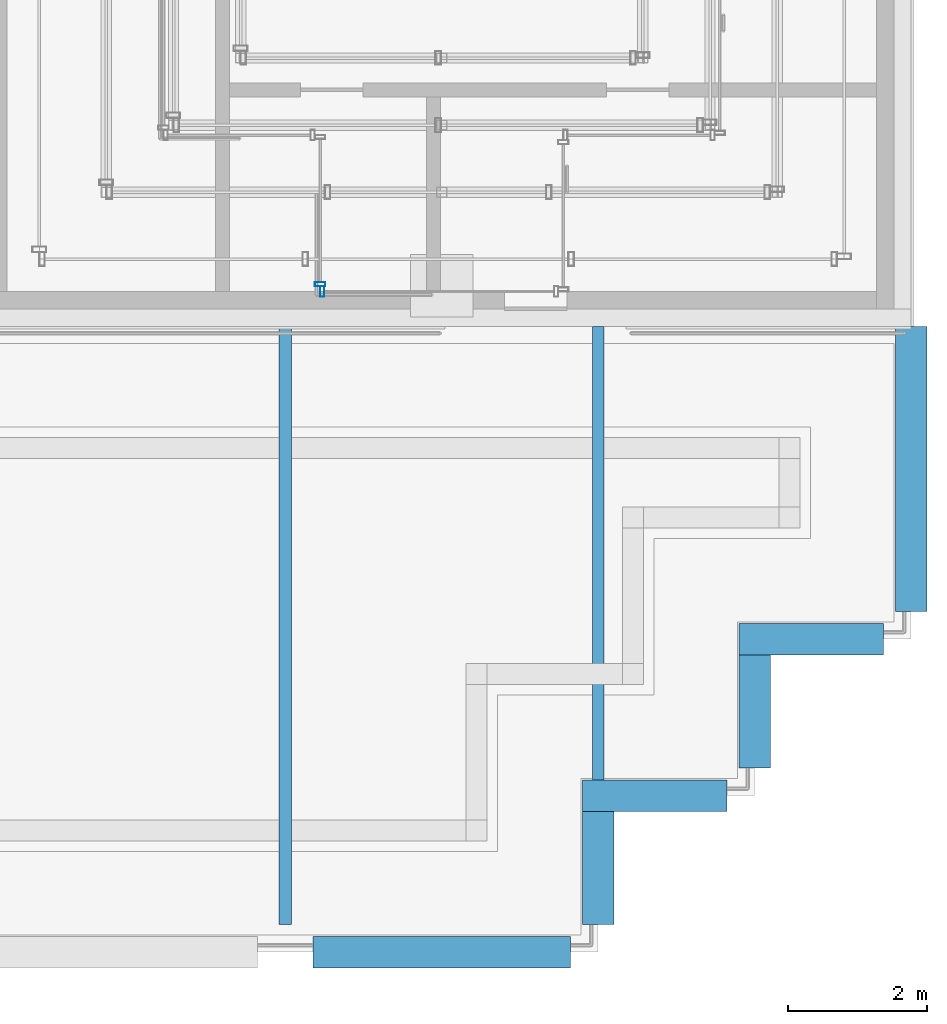
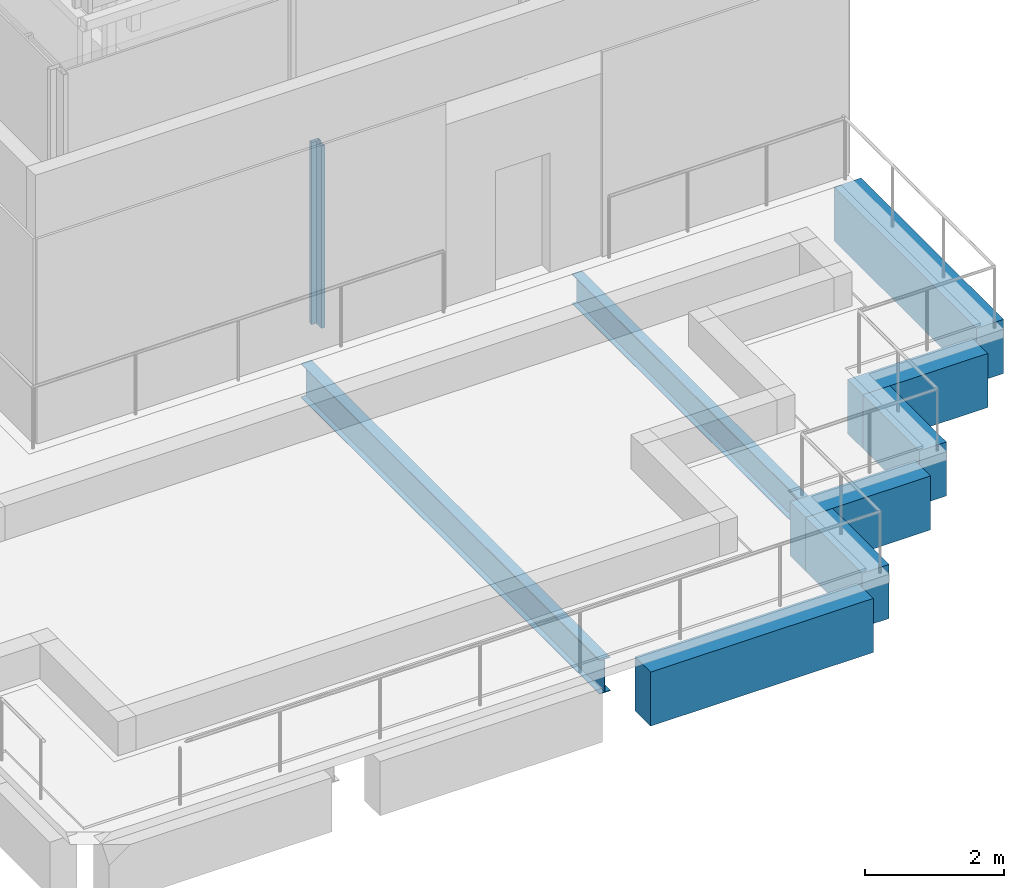
# One storey, part 34 of 62: 8 beams, 2 members, 2 elements without a shape of their own.
"""IFC4 building model written with IfcOpenShell, lengths in metres."""

from ifc_helpers import new_model, si_unit, direction, frame, origin, origin_2d, place, context, subcontext, project, spatial, rectangle, hollow_rectangle, i_section, extrude, material, material_profile, profile_set, type_object, element, aggregate, save


model = new_model("IFC4")

# Units and contexts
model_context = context("Model", 3, precision=1e-05, world=origin(), true_north=direction((0.0, 1.0)))
body_context = subcontext(model_context, "Body", "Model", "MODEL_VIEW")
ifc_project = project(units=[si_unit("LENGTHUNIT", "METRE"), si_unit("AREAUNIT", "SQUARE_METRE"), si_unit("VOLUMEUNIT", "CUBIC_METRE"), si_unit("PLANEANGLEUNIT", "RADIAN"), si_unit("MASSUNIT", "GRAM", prefix="KILO")], contexts=[model_context])

# Site, building, storey
site_placement = place(None, origin())
site = spatial("IfcSite", under=ifc_project, at=site_placement, CompositionType="ELEMENT")
building_placement = place(site_placement, origin())
building = spatial("IfcBuilding", under=site, at=building_placement, Name="Altepetl Exchange Towers", CompositionType="ELEMENT")
storey_placement = place(building_placement, frame((0.0, 0.0, 210.0)))
storey = spatial("IfcBuildingStorey", under=building, at=storey_placement, Name="L53", CompositionType="ELEMENT", Elevation=210.0)

# Beams
ifc_material_1 = material(Name="Steel S355", Category="steel")
ifc_material_profile_1 = material_profile(ifc_material_1, i_section(OverallWidth=0.166015625, OverallDepth=0.529052734375, WebThickness=0.009765625, FlangeThickness=0.013671875, at=origin_2d()), Name="W21X50")
ifc_profile_set_1 = profile_set([ifc_material_profile_1], Name="Steel S355")
beam_type_1 = type_object("IfcBeamType", Name="Floor beam W21X50", PredefinedType="BEAM", material=ifc_profile_set_1)
beam_1_placement = place(storey_placement, frame((112.5, 29.47509765625, -0.41455078125), z_axis=(0.0, 1.0, 0.0), x_axis=(-1.0, 0.0, 0.0)))
element("IfcBeam", 1, at=beam_1_placement, inside=storey, type_object=beam_type_1, Name="bm:B:L53:t003", PredefinedType="BEAM", context=body_context, shape_type="SweptSolid", body=[
    extrude(i_section(OverallWidth=0.166015625, OverallDepth=0.529052734375, WebThickness=0.009765625, FlangeThickness=0.013671875, at=origin_2d()), origin(), (0.0, 0.0, 1.0), 6.52490234375),
])
ifc_material_profile_2 = material_profile(ifc_material_1, i_section(OverallWidth=0.177978515625, OverallDepth=0.59912109375, WebThickness=0.010009765625, FlangeThickness=0.0126953125, at=origin_2d()), Name="W24X55")
ifc_profile_set_2 = profile_set([ifc_material_profile_2], Name="Steel S355")
beam_type_2 = type_object("IfcBeamType", Name="Floor beam W24X55", PredefinedType="BEAM", material=ifc_profile_set_2)
beam_2_placement = place(storey_placement, frame((108.0, 27.39990234375, -0.449462890625), z_axis=(0.0, 1.0, 0.0), x_axis=(-1.0, 0.0, 0.0)))
element("IfcBeam", 2, at=beam_2_placement, inside=storey, type_object=beam_type_2, Name="bm:B:L53:t002", PredefinedType="BEAM", context=body_context, shape_type="SweptSolid", body=[
    extrude(i_section(OverallWidth=0.177978515625, OverallDepth=0.59912109375, WebThickness=0.010009765625, FlangeThickness=0.0126953125, at=origin_2d()), origin(), (0.0, 0.0, 1.0), 8.60009765625),
])

# Curtain wall, member
ifc_material_2 = material(Name="Aluminium 6063-T6 glazing", Category="aluminium")
curtain_wall_type = type_object("IfcCurtainWallType", Name="Loggia glazing system", PredefinedType="NOTDEFINED", material=ifc_material_2)
curtain_wall_1_placement = place(storey_placement, origin())
curtain_wall_1 = element("IfcCurtainWall", 3, at=curtain_wall_1_placement, inside=storey, type_object=curtain_wall_type, Name="CW1 run", PredefinedType="NOTDEFINED")
ifc_material_3 = material(Name="Aluminium 6063-T6", Category="aluminium")
ifc_material_profile_3 = material_profile(ifc_material_3, hollow_rectangle(XDim=0.06005859375, YDim=0.14990234375, WallThickness=0.0029296875, at=origin_2d()), Name="Mullion 60x150 aluminium")
ifc_profile_set_3 = profile_set([ifc_material_profile_3], Name="Aluminium 6063-T6")
member_type = type_object("IfcMemberType", Name="Mullion 60x150 aluminium", PredefinedType="MULLION", material=ifc_profile_set_3)
member_1_placement = place(storey_placement, frame((108.5, 36.60498046875, 0.0), z_axis=(0.0, 0.0, 1.0), x_axis=(0.0, -1.0, 0.0)))
member_1 = element("IfcMember", 4, at=member_1_placement, type_object=member_type, Name="MU1 mullion", PredefinedType="MULLION", context=body_context, shape_type="SweptSolid", body=[
    extrude(hollow_rectangle(XDim=0.06005859375, YDim=0.14990234375, WallThickness=0.0029296875, at=origin_2d()), origin(), (0.0, 0.0, 1.0), 3.199951171875),
])
aggregate(curtain_wall_1, [member_1])

curtain_wall_2_placement = place(storey_placement, origin())
curtain_wall_2 = element("IfcCurtainWall", 5, at=curtain_wall_2_placement, inside=storey, type_object=curtain_wall_type, Name="CW1 run", PredefinedType="NOTDEFINED")
member_2_placement = place(storey_placement, frame((108.530029296875, 36.5, 0.0)))
member_2 = element("IfcMember", 6, at=member_2_placement, type_object=member_type, Name="MU1 mullion", PredefinedType="MULLION", context=body_context, shape_type="SweptSolid", body=[
    extrude(hollow_rectangle(XDim=0.06005859375, YDim=0.14990234375, WallThickness=0.0029296875, at=origin_2d()), origin(), (0.0, 0.0, 1.0), 3.199951171875),
])
aggregate(curtain_wall_2, [member_2])

# Beams
ifc_material_4 = material(Name="Concrete C50/60 precast with cantera blanca facing", Category="concrete")
ifc_material_profile_4 = material_profile(ifc_material_4, rectangle(XDim=0.449951171875, YDim=0.949951171875, at=origin_2d()), Name="450 x 950")
ifc_profile_set_4 = profile_set([ifc_material_profile_4], Name="Concrete C50/60 precast with cantera blanca facing")
beam_type_3 = type_object("IfcBeamType", Name="Spandrel beam 450x950 cantera blanca", PredefinedType="SPANDREL", material=ifc_profile_set_4)
beam_3_placement = place(storey_placement, frame((117.0, 31.89990234375, -0.625), z_axis=(0.0, 1.0, 0.0), x_axis=(-1.0, 0.0, 0.0)))
element("IfcBeam", 7, at=beam_3_placement, inside=storey, type_object=beam_type_3, Name="sp:B:L53:t007", PredefinedType="SPANDREL", context=body_context, shape_type="SweptSolid", body=[
    extrude(rectangle(XDim=0.449951171875, YDim=0.949951171875, at=origin_2d()), origin(), (0.0, 0.0, 1.0), 4.10009765625),
])
ifc_material_5 = material(Name="Concrete C50/60 precast with tezontle facing", Category="concrete")
ifc_material_profile_5 = material_profile(ifc_material_5, rectangle(XDim=0.449951171875, YDim=0.949951171875, at=origin_2d()), Name="450 x 950")
ifc_profile_set_5 = profile_set([ifc_material_profile_5], Name="Concrete C50/60 precast with tezontle facing")
beam_type_4 = type_object("IfcBeamType", Name="Spandrel beam 450x950 tezontle", PredefinedType="SPANDREL", material=ifc_profile_set_5)
beam_4_placement = place(storey_placement, frame((108.39990234375, 27.0, -0.625), z_axis=(1.0, 0.0, 0.0), x_axis=(0.0, 1.0, 0.0)))
element("IfcBeam", 8, at=beam_4_placement, inside=storey, type_object=beam_type_4, Name="sp:B:L53:t002", PredefinedType="SPANDREL", context=body_context, shape_type="SweptSolid", body=[
    extrude(rectangle(XDim=0.449951171875, YDim=0.949951171875, at=origin_2d()), origin(), (0.0, 0.0, 1.0), 3.7001953125),
])
beam_5_placement = place(storey_placement, frame((112.5, 27.39990234375, -0.625), z_axis=(0.0, 1.0, 0.0), x_axis=(-1.0, 0.0, 0.0)))
element("IfcBeam", 9, at=beam_5_placement, inside=storey, type_object=beam_type_4, Name="sp:B:L53:t003", PredefinedType="SPANDREL", context=body_context, shape_type="SweptSolid", body=[
    extrude(rectangle(XDim=0.449951171875, YDim=0.949951171875, at=origin_2d()), origin(), (0.0, 0.0, 1.0), 1.625),
])
beam_6_placement = place(storey_placement, frame((112.27490234375, 29.25, -0.625), z_axis=(1.0, 0.0, 0.0), x_axis=(0.0, 1.0, 0.0)))
element("IfcBeam", 10, at=beam_6_placement, inside=storey, type_object=beam_type_4, Name="sp:B:L53:t004", PredefinedType="SPANDREL", context=body_context, shape_type="SweptSolid", body=[
    extrude(rectangle(XDim=0.449951171875, YDim=0.949951171875, at=origin_2d()), origin(), (0.0, 0.0, 1.0), 2.0751953125),
])
beam_7_placement = place(storey_placement, frame((114.75, 29.64990234375, -0.625), z_axis=(0.0, 1.0, 0.0), x_axis=(-1.0, 0.0, 0.0)))
element("IfcBeam", 11, at=beam_7_placement, inside=storey, type_object=beam_type_4, Name="sp:B:L53:t005", PredefinedType="SPANDREL", context=body_context, shape_type="SweptSolid", body=[
    extrude(rectangle(XDim=0.449951171875, YDim=0.949951171875, at=origin_2d()), origin(), (0.0, 0.0, 1.0), 1.625),
])
beam_8_placement = place(storey_placement, frame((114.52490234375, 31.5, -0.625), z_axis=(1.0, 0.0, 0.0), x_axis=(0.0, 1.0, 0.0)))
element("IfcBeam", 12, at=beam_8_placement, inside=storey, type_object=beam_type_4, Name="sp:B:L53:t006", PredefinedType="SPANDREL", context=body_context, shape_type="SweptSolid", body=[
    extrude(rectangle(XDim=0.449951171875, YDim=0.949951171875, at=origin_2d()), origin(), (0.0, 0.0, 1.0), 2.0751953125),
])

save(model, "model.ifc")
